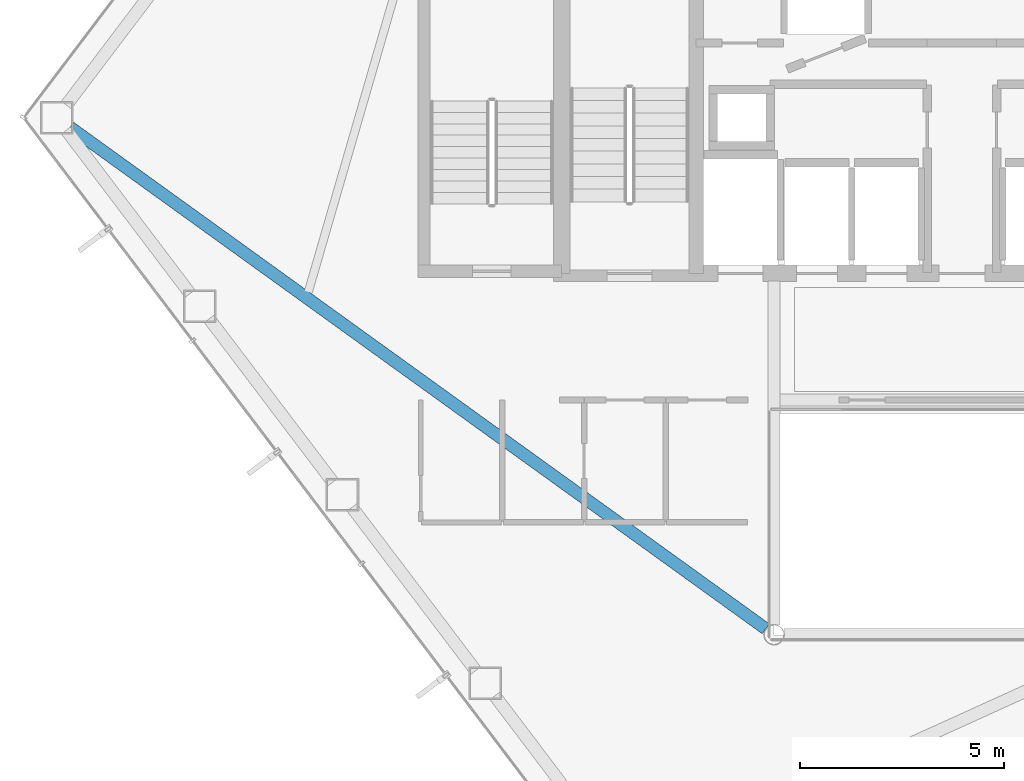
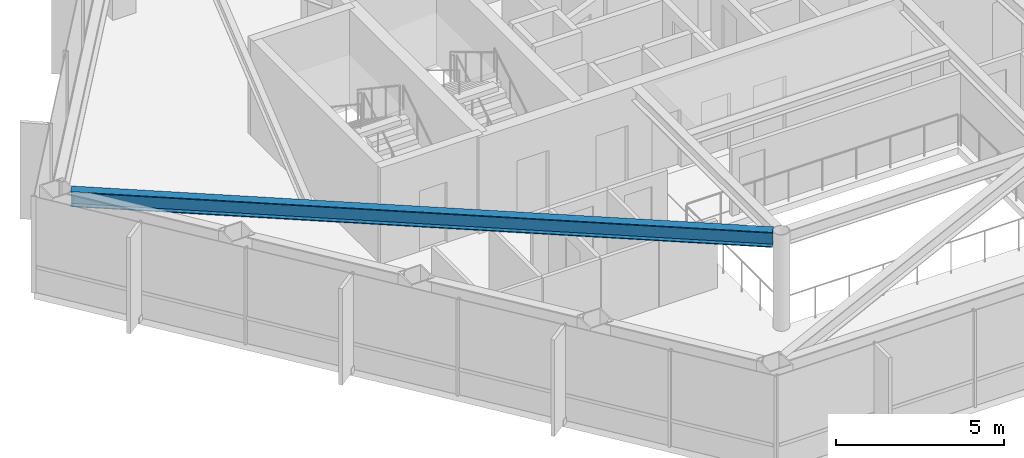
# One storey, part 5 of 29: 1 beam.
"""IFC4 building model written with IfcOpenShell, lengths in metres."""

from ifc_helpers import new_model, si_unit, direction, frame, origin, origin_2d, place, context, subcontext, project, spatial, i_section, extrude, material, material_profile, profile_set, type_object, element, save


model = new_model("IFC4")

# Units and contexts
model_context = context("Model", 3, precision=1e-05, world=origin(), true_north=direction((0.0, 1.0)))
body_context = subcontext(model_context, "Body", "Model", "MODEL_VIEW")
ifc_project = project(units=[si_unit("LENGTHUNIT", "METRE"), si_unit("AREAUNIT", "SQUARE_METRE"), si_unit("VOLUMEUNIT", "CUBIC_METRE"), si_unit("PLANEANGLEUNIT", "RADIAN"), si_unit("MASSUNIT", "GRAM", prefix="KILO")], contexts=[model_context])

# Site, building, storey
site_placement = place(None, origin())
site = spatial("IfcSite", under=ifc_project, at=site_placement, CompositionType="ELEMENT")
building_placement = place(site_placement, origin())
building = spatial("IfcBuilding", under=site, at=building_placement, Name="Zarrinselat Tower", CompositionType="ELEMENT")
storey_placement = place(building_placement, frame((0.0, 0.0, 134.639892578125)))
storey = spatial("IfcBuildingStorey", under=building, at=storey_placement, Name="L32", CompositionType="ELEMENT", Elevation=134.639892578125)

# Beam
ifc_material = material(Name="Steel S355J2", Category="steel")
ifc_material_profile = material_profile(ifc_material, i_section(OverallWidth=0.300048828125, OverallDepth=0.550048828125, WebThickness=0.014892578125, FlangeThickness=0.029052734375, at=origin_2d()), Name="HEB 550")
ifc_profile_set = profile_set([ifc_material_profile], Name="Steel S355J2")
beam_type = type_object("IfcBeamType", Name="BM-HEB550", PredefinedType="BEAM", material=ifc_profile_set)
beam_placement = place(storey_placement, frame((16.564208984375, 36.8251953125, 3.22509765625), z_axis=(0.811188179472, -0.58478520628, 0.0), x_axis=(0.58478520628, 0.811188179472, 0.0)))
element("IfcBeam", 1, at=beam_placement, inside=storey, type_object=beam_type, Name="L32 Radial Primary Girder RG06", PredefinedType="BEAM", context=body_context, shape_type="SweptSolid", body=[
    extrude(i_section(OverallWidth=0.300048828125, OverallDepth=0.550048828125, WebThickness=0.014892578125, FlangeThickness=0.029052734375, at=origin_2d()), origin(), (0.0, 0.0, 1.0), 20.99755859375),
])

save(model, "model.ifc")
